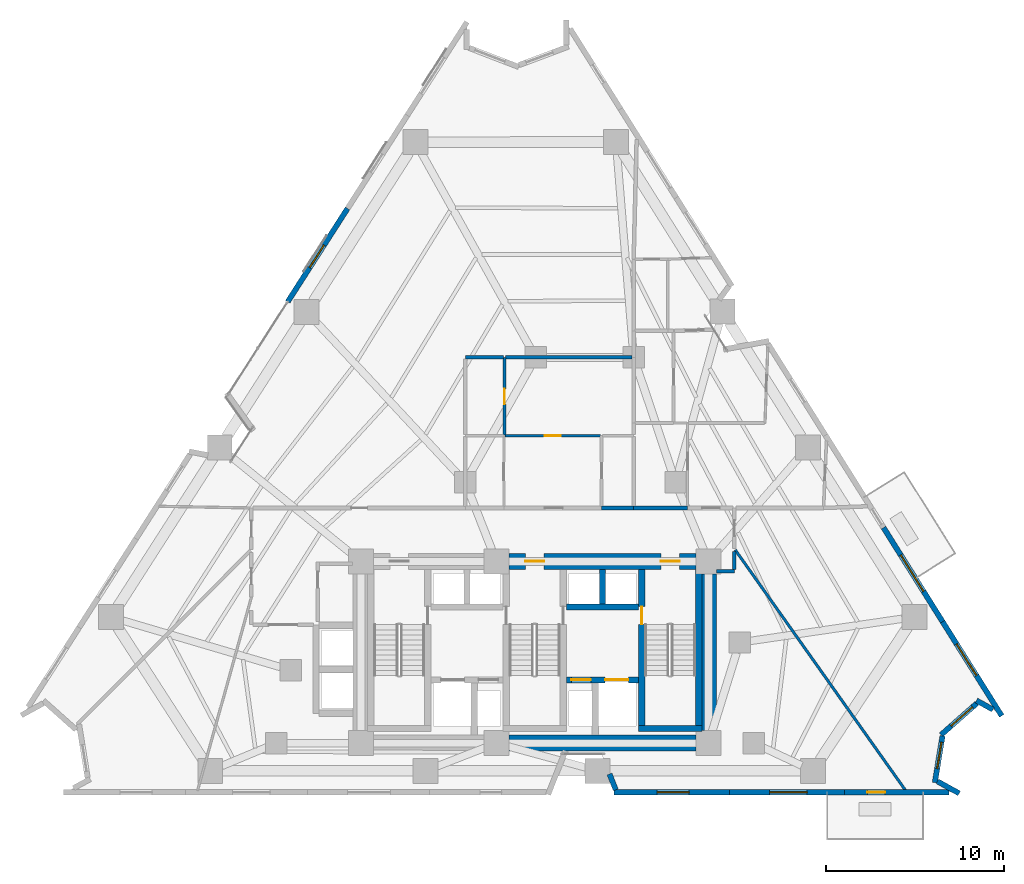
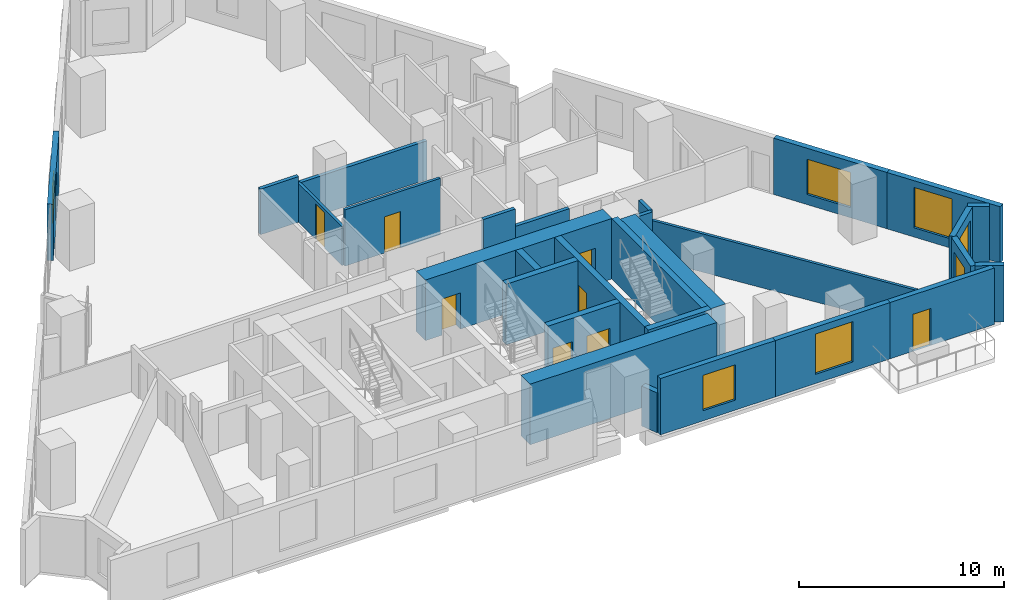
# One storey, part 8 of 13: 29 walls, 8 doors, 7 windows, 15 openings.
"""IFC4 building model written with IfcOpenShell, lengths in metres."""

from ifc_helpers import new_model, si_unit, direction, frame, frame_2d, origin, place, context, subcontext, project, spatial, rectangle, extrude, material, layer, layer_set, type_object, element, fill, save


model = new_model("IFC4")

# Units and contexts
model_context = context("Model", 3, precision=1e-05, world=origin(), true_north=direction((0.0, 1.0)))
body_context = subcontext(model_context, "Body", "Model", "MODEL_VIEW")
ifc_project = project(units=[si_unit("LENGTHUNIT", "METRE"), si_unit("AREAUNIT", "SQUARE_METRE"), si_unit("VOLUMEUNIT", "CUBIC_METRE"), si_unit("PLANEANGLEUNIT", "RADIAN"), si_unit("MASSUNIT", "GRAM", prefix="KILO")], contexts=[model_context])

# Site, building, storey
site_placement = place(None, origin())
site = spatial("IfcSite", under=ifc_project, at=site_placement, CompositionType="ELEMENT")
building_placement = place(site_placement, origin())
building = spatial("IfcBuilding", under=site, at=building_placement, Name="Almagre Mirador Tower", CompositionType="ELEMENT")
storey_placement = place(building_placement, frame((0.0, 0.0, 57.0)))
storey = spatial("IfcBuildingStorey", under=building, at=storey_placement, Name="L13", CompositionType="ELEMENT", Elevation=57.0)

# Wall, opening, window
ifc_material_1 = material(Name="Precast concrete C50/60", Category="concrete")
ifc_layer_1 = layer(ifc_material_1, 0.300048828125)
ifc_layer_set_1 = layer_set([ifc_layer_1], Name="Precast concrete C50/60")
wall_type_1 = type_object("IfcWallType", Name="WAL-EXT-300", PredefinedType="SOLIDWALL", material=ifc_layer_set_1)
wall_1_placement = place(storey_placement, frame((23.436767578125, 29.324462890625, 0.0), z_axis=(0.0, 0.0, 1.0), x_axis=(0.539514033019, 0.841976607855, 0.0)))
wall_1 = element("IfcWall", 1, at=wall_1_placement, inside=storey, type_object=wall_type_1, Name="L13 expressed almagre precast frame wall 03", PredefinedType="SOLIDWALL", context=body_context, shape_type="SweptSolid", body=[
    extrude(rectangle(XDim=6.21435546875, YDim=0.300048828125, at=frame_2d((3.107177734375, 0.0))), origin(), (0.0, 0.0, 1.0), 3.35009765625),
])
opening_1_placement = place(wall_1_placement, frame((2.27490234375, 0.0, 0.60009765625)))
opening_1 = element("IfcOpeningElement", 2, at=opening_1_placement, cuts=wall_1, Name="Opening WN-03", PredefinedType="OPENING", context=body_context, shape_type="SweptSolid", body=[
    extrude(rectangle(XDim=1.5, YDim=2.10009765625, at=frame_2d((0.75, 1.050048828125))), frame((0.0, 0.159902, 0.0), z_axis=(0.0, -1.0, 0.0), x_axis=(1.0, 0.0, 0.0)), (0.0, 0.0, 1.0), 0.320049),
])
ifc_material_2 = material(Name="Dark solar-control laminated hurricane glass", Category="glass")
window_type_1 = type_object("IfcWindowType", Name="WIN-1500X2100", PartitioningType="DOUBLE_PANEL_VERTICAL", PredefinedType="WINDOW", material=ifc_material_2)
window_1_placement = place(opening_1_placement, origin())
window_1 = element("IfcWindow", 3, at=window_1_placement, inside=storey, type_object=window_type_1, Name="L13 recessed hurricane window L13-RST-H", OverallHeight=2.10009765625, OverallWidth=1.5, PartitioningType="SINGLE_PANEL", PredefinedType="WINDOW", context=body_context, shape_type="SweptSolid", body=[
    extrude(rectangle(XDim=1.5, YDim=2.10009765625, at=frame_2d((0.75, 1.050048828125))), frame((0.0, 0.030029296875, 0.0), z_axis=(0.0, -1.0, 0.0), x_axis=(1.0, 0.0, 0.0)), (0.0, 0.0, 1.0), 0.06005859375),
])
fill(opening_1, window_1)

wall_2_placement = place(storey_placement, frame((56.87255859375, 16.64892578125, 0.0), z_axis=(0.0, 0.0, 1.0), x_axis=(0.531897384848, -0.846808816671, 0.0)))
wall_2 = element("IfcWall", 4, at=wall_2_placement, inside=storey, type_object=wall_type_1, Name="L13 expressed almagre precast frame wall 17", PredefinedType="SOLIDWALL", context=body_context, shape_type="SweptSolid", body=[
    extrude(rectangle(XDim=6.23779296875, YDim=0.300048828125, at=frame_2d((3.118896484375, 0.0))), origin(), (0.0, 0.0, 1.0), 3.35009765625),
])
opening_2_placement = place(wall_2_placement, frame((1.824951171875, 0.0, 0.60009765625)))
opening_2 = element("IfcOpeningElement", 5, at=opening_2_placement, cuts=wall_2, Name="Opening WN-02", PredefinedType="OPENING", context=body_context, shape_type="SweptSolid", body=[
    extrude(rectangle(XDim=2.39990234375, YDim=2.10009765625, at=frame_2d((1.199951171875, 1.050048828125))), frame((0.0, 0.159902, 0.0), z_axis=(0.0, -1.0, 0.0), x_axis=(1.0, 0.0, 0.0)), (0.0, 0.0, 1.0), 0.320049),
])
ifc_material_3 = material(Name="Dark solar-control laminated hurricane glass", Category="glass")
window_type_2 = type_object("IfcWindowType", Name="WIN-2400X2100", PartitioningType="TRIPLE_PANEL_VERTICAL", PredefinedType="WINDOW", material=ifc_material_3)
window_2_placement = place(opening_2_placement, origin())
window_2 = element("IfcWindow", 6, at=window_2_placement, inside=storey, type_object=window_type_2, Name="L13 recessed hurricane window L13-RST-E", OverallHeight=2.10009765625, OverallWidth=2.39990234375, PartitioningType="SINGLE_PANEL", PredefinedType="WINDOW", context=body_context, shape_type="SweptSolid", body=[
    extrude(rectangle(XDim=2.39990234375, YDim=2.10009765625, at=frame_2d((1.199951171875, 1.050048828125))), frame((0.0, 0.030029296875, 0.0), z_axis=(0.0, -1.0, 0.0), x_axis=(1.0, 0.0, 0.0)), (0.0, 0.0, 1.0), 0.06005859375),
])
fill(opening_2, window_2)

wall_3_placement = place(storey_placement, frame((60.1904296875, 11.36669921875, 0.0), z_axis=(0.0, 0.0, 1.0), x_axis=(0.531925449882, -0.846791187819, 0.0)))
wall_3 = element("IfcWall", 7, at=wall_3_placement, inside=storey, type_object=wall_type_1, Name="L13 expressed almagre precast frame wall 18", PredefinedType="SOLIDWALL", context=body_context, shape_type="SweptSolid", body=[
    extrude(rectangle(XDim=6.238037109375, YDim=0.300048828125, at=frame_2d((3.119140625, 0.0))), origin(), (0.0, 0.0, 1.0), 3.35009765625),
])
opening_3_placement = place(wall_3_placement, frame((1.47509765625, 0.0, 0.550048828125)))
opening_3 = element("IfcOpeningElement", 8, at=opening_3_placement, cuts=wall_3, Name="Opening WN-05", PredefinedType="OPENING", context=body_context, shape_type="SweptSolid", body=[
    extrude(rectangle(XDim=2.10009765625, YDim=2.39990234375, at=frame_2d((1.050048828125, 1.199951171875))), frame((0.0, 0.159902, 0.0), z_axis=(0.0, -1.0, 0.0), x_axis=(1.0, 0.0, 0.0)), (0.0, 0.0, 1.0), 0.320049),
])
ifc_material_4 = material(Name="Dark solar-control laminated hurricane glass", Category="glass")
window_type_3 = type_object("IfcWindowType", Name="WIN-2100X2400", PartitioningType="DOUBLE_PANEL_VERTICAL", PredefinedType="WINDOW", material=ifc_material_4)
window_3_placement = place(opening_3_placement, origin())
window_3 = element("IfcWindow", 9, at=window_3_placement, inside=storey, type_object=window_type_3, Name="L13 recessed hurricane window L13-RST-E", OverallHeight=2.39990234375, OverallWidth=2.10009765625, PartitioningType="SINGLE_PANEL", PredefinedType="WINDOW", context=body_context, shape_type="SweptSolid", body=[
    extrude(rectangle(XDim=2.10009765625, YDim=2.39990234375, at=frame_2d((1.050048828125, 1.199951171875))), frame((0.0, 0.030029296875, 0.0), z_axis=(0.0, -1.0, 0.0), x_axis=(1.0, 0.0, 0.0)), (0.0, 0.0, 1.0), 0.06005859375),
])
fill(opening_3, window_3)

# Wall
wall_4_placement = place(storey_placement, frame((63.013916015625, 6.435302734375, 0.0), z_axis=(0.0, 0.0, 1.0), x_axis=(-0.875148714457, 0.483854035412, 0.0)))
element("IfcWall", 10, at=wall_4_placement, inside=storey, type_object=wall_type_1, Name="L13 expressed almagre precast frame wall 19", PredefinedType="SOLIDWALL", context=body_context, shape_type="SweptSolid", body=[
    extrude(rectangle(XDim=1.05517578125, YDim=0.300048828125, at=frame_2d((0.527587890625, 0.0))), origin(), (0.0, 0.0, 1.0), 3.35009765625),
])

# Wall, opening, window
wall_5_placement = place(storey_placement, frame((62.11181640625, 6.788818359375, 0.0), z_axis=(0.0, 0.0, 1.0), x_axis=(-0.749880449764, -0.661573360303, 0.0)))
wall_5 = element("IfcWall", 11, at=wall_5_placement, inside=storey, type_object=wall_type_1, Name="L13 expressed almagre precast frame wall 20", PredefinedType="SOLIDWALL", context=body_context, shape_type="SweptSolid", body=[
    extrude(rectangle(XDim=2.67626953125, YDim=0.300048828125, at=frame_2d((1.338134765625, 0.0))), origin(), (0.0, 0.0, 1.0), 3.35009765625),
])
opening_4_placement = place(wall_5_placement, frame((0.324951171875, 0.0, 0.550048828125)))
opening_4 = element("IfcOpeningElement", 12, at=opening_4_placement, cuts=wall_5, Name="Opening WN-06", PredefinedType="OPENING", context=body_context, shape_type="SweptSolid", body=[
    extrude(rectangle(XDim=1.60009765625, YDim=2.199951171875, at=frame_2d((0.800048828125, 1.10009765625))), frame((0.0, 0.159902, 0.0), z_axis=(0.0, -1.0, 0.0), x_axis=(1.0, 0.0, 0.0)), (0.0, 0.0, 1.0), 0.320049),
])
ifc_material_5 = material(Name="Dark solar-control laminated hurricane glass", Category="glass")
window_type_4 = type_object("IfcWindowType", Name="WIN-1600X2200", PartitioningType="DOUBLE_PANEL_VERTICAL", PredefinedType="WINDOW", material=ifc_material_5)
window_4_placement = place(opening_4_placement, origin())
window_4 = element("IfcWindow", 13, at=window_4_placement, inside=storey, type_object=window_type_4, Name="L13 recessed hurricane window L13-RST-E", OverallHeight=2.199951171875, OverallWidth=1.60009765625, PartitioningType="SINGLE_PANEL", PredefinedType="WINDOW", context=body_context, shape_type="SweptSolid", body=[
    extrude(rectangle(XDim=1.60009765625, YDim=2.199951171875, at=frame_2d((0.800048828125, 1.10009765625))), frame((0.0, 0.030029296875, 0.0), z_axis=(0.0, -1.0, 0.0), x_axis=(1.0, 0.0, 0.0)), (0.0, 0.0, 1.0), 0.06005859375),
])
fill(opening_4, window_4)

wall_6_placement = place(storey_placement, frame((60.18505859375, 4.9580078125, 0.0), z_axis=(0.0, 0.0, 1.0), x_axis=(-0.16141694699, -0.986886300049, 0.0)))
wall_6 = element("IfcWall", 14, at=wall_6_placement, inside=storey, type_object=wall_type_1, Name="L13 expressed almagre precast frame wall 21", PredefinedType="SOLIDWALL", context=body_context, shape_type="SweptSolid", body=[
    extrude(rectangle(XDim=2.656005859375, YDim=0.300048828125, at=frame_2d((1.328125, 0.0))), origin(), (0.0, 0.0, 1.0), 3.35009765625),
])
opening_5_placement = place(wall_6_placement, frame((0.35498046875, 0.0, 0.60009765625)))
opening_5 = element("IfcOpeningElement", 15, at=opening_5_placement, cuts=wall_6, Name="Opening WN-03", PredefinedType="OPENING", context=body_context, shape_type="SweptSolid", body=[
    extrude(rectangle(XDim=1.5, YDim=2.10009765625, at=frame_2d((0.75, 1.050048828125))), frame((0.0, 0.159902, 0.0), z_axis=(0.0, -1.0, 0.0), x_axis=(1.0, 0.0, 0.0)), (0.0, 0.0, 1.0), 0.320049),
])
window_5_placement = place(opening_5_placement, origin())
window_5 = element("IfcWindow", 16, at=window_5_placement, inside=storey, type_object=window_type_1, Name="L13 recessed hurricane window L13-RST-E", OverallHeight=2.10009765625, OverallWidth=1.5, PartitioningType="SINGLE_PANEL", PredefinedType="WINDOW", context=body_context, shape_type="SweptSolid", body=[
    extrude(rectangle(XDim=1.5, YDim=2.10009765625, at=frame_2d((0.75, 1.050048828125))), frame((0.0, 0.030029296875, 0.0), z_axis=(0.0, -1.0, 0.0), x_axis=(1.0, 0.0, 0.0)), (0.0, 0.0, 1.0), 0.06005859375),
])
fill(opening_5, window_5)

# Wall
wall_7_placement = place(storey_placement, frame((59.897216796875, 2.40966796875, 0.0), z_axis=(0.0, 0.0, 1.0), x_axis=(0.875216279123, -0.483731810777, 0.0)))
element("IfcWall", 17, at=wall_7_placement, inside=storey, type_object=wall_type_1, Name="L13 expressed almagre precast frame wall 22", PredefinedType="SOLIDWALL", context=body_context, shape_type="SweptSolid", body=[
    extrude(rectangle(XDim=1.400146484375, YDim=0.300048828125, at=frame_2d((0.7001953125, 0.0))), origin(), (0.0, 0.0, 1.0), 3.35009765625),
])

# Wall, opening, door
wall_8_placement = place(storey_placement, frame((60.534912109375, 1.800048828125, 0.0), z_axis=(0.0, 0.0, 1.0), x_axis=(-1.0, 0.0, 0.0)))
wall_8 = element("IfcWall", 18, at=wall_8_placement, inside=storey, type_object=wall_type_1, Name="L13 expressed almagre precast frame wall 23", PredefinedType="SOLIDWALL", context=body_context, shape_type="SweptSolid", body=[
    extrude(rectangle(XDim=5.85498046875, YDim=0.300048828125, at=frame_2d((2.927490234375, 0.0))), origin(), (0.0, 0.0, 1.0), 3.35009765625),
])
opening_6_placement = place(wall_8_placement, frame((3.5703125, 0.0, 0.0)))
opening_6 = element("IfcOpeningElement", 19, at=opening_6_placement, cuts=wall_8, Name="Opening BD-01", PredefinedType="OPENING", context=body_context, shape_type="SweptSolid", body=[
    extrude(rectangle(XDim=1.0, YDim=2.199951171875, at=frame_2d((0.5, 1.10009765625))), frame((0.0, 0.159902, 0.0), z_axis=(0.0, -1.0, 0.0), x_axis=(1.0, 0.0, 0.0)), (0.0, 0.0, 1.0), 0.320049),
])
ifc_material_6 = material(Name="Black anodized aluminium and laminated glass", Category="aluminium")
door_type_1 = type_object("IfcDoorType", Name="DOR-BAL-1000X2200", OperationType="NOTDEFINED", PredefinedType="DOOR", material=ifc_material_6)
door_1_placement = place(opening_6_placement, origin())
door_1 = element("IfcDoor", 20, at=door_1_placement, inside=storey, type_object=door_type_1, Name="DR-0420 L13 south balcony glazed door 1", OperationType="SINGLE_SWING_LEFT", OverallHeight=2.199951171875, OverallWidth=1.0, PredefinedType="DOOR", context=body_context, shape_type="SweptSolid", body=[
    extrude(rectangle(XDim=1.0, YDim=2.199951171875, at=frame_2d((0.5, 1.10009765625))), frame((0.0, 0.02490234375, 0.0), z_axis=(0.0, -1.0, 0.0), x_axis=(1.0, 0.0, 0.0)), (0.0, 0.0, 1.0), 0.050048828125),
])
fill(opening_6, door_1)

# Wall, opening, window
wall_9_placement = place(storey_placement, frame((54.679931640625, 1.800048828125, 0.0), z_axis=(0.0, 0.0, 1.0), x_axis=(-1.0, 0.0, 0.0)))
wall_9 = element("IfcWall", 21, at=wall_9_placement, inside=storey, type_object=wall_type_1, Name="L13 expressed almagre precast frame wall 24", PredefinedType="SOLIDWALL", context=body_context, shape_type="SweptSolid", body=[
    extrude(rectangle(XDim=6.4599609375, YDim=0.300048828125, at=frame_2d((3.22998046875, 0.0))), origin(), (0.0, 0.0, 1.0), 3.35009765625),
])
opening_7_placement = place(wall_9_placement, frame((2.10009765625, 0.0, 0.550048828125)))
opening_7 = element("IfcOpeningElement", 22, at=opening_7_placement, cuts=wall_9, Name="Opening WN-05", PredefinedType="OPENING", context=body_context, shape_type="SweptSolid", body=[
    extrude(rectangle(XDim=2.10009765625, YDim=2.39990234375, at=frame_2d((1.050048828125, 1.199951171875))), frame((0.0, 0.159902, 0.0), z_axis=(0.0, -1.0, 0.0), x_axis=(1.0, 0.0, 0.0)), (0.0, 0.0, 1.0), 0.320049),
])
window_6_placement = place(opening_7_placement, origin())
window_6 = element("IfcWindow", 23, at=window_6_placement, inside=storey, type_object=window_type_3, Name="L13 recessed hurricane window L13-RST-C", OverallHeight=2.39990234375, OverallWidth=2.10009765625, PartitioningType="SINGLE_PANEL", PredefinedType="WINDOW", context=body_context, shape_type="SweptSolid", body=[
    extrude(rectangle(XDim=2.10009765625, YDim=2.39990234375, at=frame_2d((1.050048828125, 1.199951171875))), frame((0.0, 0.030029296875, 0.0), z_axis=(0.0, -1.0, 0.0), x_axis=(1.0, 0.0, 0.0)), (0.0, 0.0, 1.0), 0.06005859375),
])
fill(opening_7, window_6)

wall_10_placement = place(storey_placement, frame((48.219970703125, 1.800048828125, 0.0), z_axis=(0.0, 0.0, 1.0), x_axis=(-1.0, 0.0, 0.0)))
wall_10 = element("IfcWall", 24, at=wall_10_placement, inside=storey, type_object=wall_type_1, Name="L13 expressed almagre precast frame wall 25", PredefinedType="SOLIDWALL", context=body_context, shape_type="SweptSolid", body=[
    extrude(rectangle(XDim=6.4599609375, YDim=0.300048828125, at=frame_2d((3.22998046875, 0.0))), origin(), (0.0, 0.0, 1.0), 3.35009765625),
])
opening_8_placement = place(wall_10_placement, frame((2.25, 0.0, 0.60009765625)))
opening_8 = element("IfcOpeningElement", 25, at=opening_8_placement, cuts=wall_10, Name="Opening WN-01", PredefinedType="OPENING", context=body_context, shape_type="SweptSolid", body=[
    extrude(rectangle(XDim=1.800048828125, YDim=2.10009765625, at=frame_2d((0.89990234375, 1.050048828125))), frame((0.0, 0.159902, 0.0), z_axis=(0.0, -1.0, 0.0), x_axis=(1.0, 0.0, 0.0)), (0.0, 0.0, 1.0), 0.320049),
])
ifc_material_7 = material(Name="Dark solar-control laminated hurricane glass", Category="glass")
window_type_5 = type_object("IfcWindowType", Name="WIN-1800X2100", PartitioningType="DOUBLE_PANEL_VERTICAL", PredefinedType="WINDOW", material=ifc_material_7)
window_7_placement = place(opening_8_placement, origin())
window_7 = element("IfcWindow", 26, at=window_7_placement, inside=storey, type_object=window_type_5, Name="L13 recessed hurricane window L13-RST-C", OverallHeight=2.10009765625, OverallWidth=1.800048828125, PartitioningType="SINGLE_PANEL", PredefinedType="WINDOW", context=body_context, shape_type="SweptSolid", body=[
    extrude(rectangle(XDim=1.800048828125, YDim=2.10009765625, at=frame_2d((0.89990234375, 1.050048828125))), frame((0.0, 0.030029296875, 0.0), z_axis=(0.0, -1.0, 0.0), x_axis=(1.0, 0.0, 0.0)), (0.0, 0.0, 1.0), 0.06005859375),
])
fill(opening_8, window_7)

# Walls
wall_11_placement = place(storey_placement, frame((41.84814453125, 1.93017578125, 0.0), z_axis=(0.0, 0.0, 1.0), x_axis=(-0.369589416429, 0.92919516963, 0.0)))
element("IfcWall", 27, at=wall_11_placement, inside=storey, type_object=wall_type_1, Name="L13 expressed almagre precast frame wall 26", PredefinedType="SOLIDWALL", context=body_context, shape_type="SweptSolid", body=[
    extrude(rectangle(XDim=0.95849609375, YDim=0.300048828125, at=frame_2d((0.479248046875, 0.0))), origin(), (0.0, 0.0, 1.0), 2.375),
])
ifc_material_8 = material(Name="Gypsum acoustic stud partition", Category="other")
ifc_layer_2 = layer(ifc_material_8, 0.14990234375)
ifc_layer_set_2 = layer_set([ifc_layer_2], Name="Gypsum acoustic stud partition")
wall_type_2 = type_object("IfcWallType", Name="WAL-PRT-150-STD", PredefinedType="PARTITIONING", material=ifc_layer_set_2)
wall_12_placement = place(storey_placement, frame((58.096923828125, 1.91796875, 0.0), z_axis=(0.0, 0.0, 1.0), x_axis=(-0.577911961482, 0.816099114554, 0.0)))
element("IfcWall", 28, at=wall_12_placement, inside=storey, type_object=wall_type_2, Name="L13 interior partition 016", PredefinedType="PARTITIONING", context=body_context, shape_type="SweptSolid", body=[
    extrude(rectangle(XDim=16.520751953125, YDim=0.14990234375, at=frame_2d((8.26025390625, 0.0))), origin(), (0.0, 0.0, 1.0), 2.279052734375),
])

# Wall, opening, door
wall_13_placement = place(storey_placement, frame((40.989990234375, 21.81005859375, 0.0), z_axis=(0.0, 0.0, 1.0), x_axis=(-1.0, 0.0, 0.0)))
wall_13 = element("IfcWall", 29, at=wall_13_placement, inside=storey, type_object=wall_type_2, Name="L13 interior partition 022", PredefinedType="PARTITIONING", context=body_context, shape_type="SweptSolid", body=[
    extrude(rectangle(XDim=5.37255859375, YDim=0.14990234375, at=frame_2d((2.686279296875, 0.0))), origin(), (0.0, 0.0, 1.0), 3.35009765625),
])
opening_9_placement = place(wall_13_placement, frame((2.22998046875, 0.0, 0.0)))
opening_9 = element("IfcOpeningElement", 30, at=opening_9_placement, cuts=wall_13, Name="Opening UD-02", PredefinedType="OPENING", context=body_context, shape_type="SweptSolid", body=[
    extrude(rectangle(XDim=0.89990234375, YDim=2.14990234375, at=frame_2d((0.449951171875, 1.074951171875))), frame((0.0, 0.084951, 0.0), z_axis=(0.0, -1.0, 0.0), x_axis=(1.0, 0.0, 0.0)), (0.0, 0.0, 1.0), 0.169902),
])
ifc_material_9 = material(Name="Solid American walnut timber", Category="wood")
door_type_2 = type_object("IfcDoorType", Name="DOR-UNR-900X2150", OperationType="NOTDEFINED", PredefinedType="DOOR", material=ifc_material_9)
door_2_placement = place(opening_9_placement, origin())
door_2 = element("IfcDoor", 31, at=door_2_placement, inside=storey, type_object=door_type_2, Name="DR-0435 L13 interior door L13-UF-LV to L13-UF-MB", OperationType="SINGLE_SWING_LEFT", OverallHeight=2.14990234375, OverallWidth=0.89990234375, PredefinedType="DOOR", context=body_context, shape_type="SweptSolid", body=[
    extrude(rectangle(XDim=0.89990234375, YDim=2.14990234375, at=frame_2d((0.449951171875, 1.074951171875))), frame((0.0, 0.02490234375, 0.0), z_axis=(0.0, -1.0, 0.0), x_axis=(1.0, 0.0, 0.0)), (0.0, 0.0, 1.0), 0.050048828125),
])
fill(opening_9, door_2)

wall_14_placement = place(storey_placement, frame((35.60009765625, 21.8525390625, 0.0), z_axis=(0.0, 0.0, 1.0), x_axis=(0.0, 1.0, 0.0)))
wall_14 = element("IfcWall", 32, at=wall_14_placement, inside=storey, type_object=wall_type_2, Name="L13 interior partition 027", PredefinedType="PARTITIONING", context=body_context, shape_type="SweptSolid", body=[
    extrude(rectangle(XDim=4.347412109375, YDim=0.14990234375, at=frame_2d((2.173828125, 0.0))), origin(), (0.0, 0.0, 1.0), 2.30908203125),
])
opening_10_placement = place(wall_14_placement, frame((1.7275390625, 0.0, 0.0)))
opening_10 = element("IfcOpeningElement", 33, at=opening_10_placement, cuts=wall_14, Name="Opening UD-04", PredefinedType="OPENING", context=body_context, shape_type="SweptSolid", body=[
    extrude(rectangle(XDim=0.85009765625, YDim=2.10009765625, at=frame_2d((0.425048828125, 1.050048828125))), frame((0.0, 0.084951, 0.0), z_axis=(0.0, -1.0, 0.0), x_axis=(1.0, 0.0, 0.0)), (0.0, 0.0, 1.0), 0.169902),
])
ifc_material_10 = material(Name="Moisture-resistant oak timber", Category="wood")
door_type_3 = type_object("IfcDoorType", Name="DOR-UNR-850X2100", OperationType="NOTDEFINED", PredefinedType="DOOR", material=ifc_material_10)
door_3_placement = place(opening_10_placement, origin())
door_3 = element("IfcDoor", 34, at=door_3_placement, inside=storey, type_object=door_type_3, Name="DR-0436 L13 interior door L13-UF-MB to L13-UF-EN", OperationType="SINGLE_SWING_RIGHT", OverallHeight=2.10009765625, OverallWidth=0.85009765625, PredefinedType="DOOR", context=body_context, shape_type="SweptSolid", body=[
    extrude(rectangle(XDim=0.85009765625, YDim=2.10009765625, at=frame_2d((0.425048828125, 1.050048828125))), frame((0.0, 0.02490234375, 0.0), z_axis=(0.0, -1.0, 0.0), x_axis=(1.0, 0.0, 0.0)), (0.0, 0.0, 1.0), 0.050048828125),
])
fill(opening_10, door_3)

# Walls
ifc_material_11 = material(Name="Gypsum acoustic stud partition", Category="other")
ifc_layer_3 = layer(ifc_material_11, 0.199951171875)
ifc_layer_set_3 = layer_set([ifc_layer_3], Name="Gypsum acoustic stud partition")
wall_type_3 = type_object("IfcWallType", Name="WAL-PRT-200-EI60", PredefinedType="PARTITIONING", material=ifc_layer_set_3)
wall_15_placement = place(storey_placement, frame((47.5, 14.199951171875, 0.0), z_axis=(0.0, 0.0, 1.0), x_axis=(1.0, 0.0, 0.0)))
element("IfcWall", 35, at=wall_15_placement, inside=storey, type_object=wall_type_3, Name="L13 interior partition 004", PredefinedType="PARTITIONING", context=body_context, shape_type="SweptSolid", body=[
    extrude(rectangle(XDim=1.0, YDim=0.199951171875, at=frame_2d((0.5, 0.0))), origin(), (0.0, 0.0, 1.0), 3.35009765625),
])
wall_16_placement = place(storey_placement, frame((48.5, 14.284912109375, 0.0), z_axis=(0.0, 0.0, 1.0), x_axis=(0.0, 1.0, 0.0)))
element("IfcWall", 36, at=wall_16_placement, inside=storey, type_object=wall_type_3, Name="L13 interior partition 005", PredefinedType="PARTITIONING", context=body_context, shape_type="SweptSolid", body=[
    extrude(rectangle(XDim=1.010009765625, YDim=0.199951171875, at=frame_2d((0.5048828125, 0.0))), origin(), (0.0, 0.0, 1.0), 3.35009765625),
])
wall_17_placement = place(storey_placement, frame((42.85009765625, 17.75, 0.0), z_axis=(0.0, 0.0, 1.0), x_axis=(-1.0, 0.0, 0.0)))
element("IfcWall", 37, at=wall_17_placement, inside=storey, type_object=wall_type_3, Name="L13 interior partition 009", PredefinedType="PARTITIONING", context=body_context, shape_type="SweptSolid", body=[
    extrude(rectangle(XDim=1.800048828125, YDim=0.199951171875, at=frame_2d((0.89990234375, 0.0))), origin(), (0.0, 0.0, 1.0), 3.35009765625),
])
wall_18_placement = place(storey_placement, frame((45.8798828125, 17.75, 0.0), z_axis=(0.0, 0.0, 1.0), x_axis=(-1.0, 0.0, 0.0)))
element("IfcWall", 38, at=wall_18_placement, inside=storey, type_object=wall_type_3, Name="L13 interior partition 012", PredefinedType="PARTITIONING", context=body_context, shape_type="SweptSolid", body=[
    extrude(rectangle(XDim=3.02978515625, YDim=0.199951171875, at=frame_2d((1.514892578125, 0.0))), origin(), (0.0, 0.0, 1.0), 2.30908203125),
])
wall_19_placement = place(storey_placement, frame((42.764892578125, 26.199951171875, 0.0), z_axis=(0.0, 0.0, 1.0), x_axis=(-1.0, 0.0, 0.0)))
element("IfcWall", 39, at=wall_19_placement, inside=storey, type_object=wall_type_3, Name="L13 interior partition 030", PredefinedType="PARTITIONING", context=body_context, shape_type="SweptSolid", body=[
    extrude(rectangle(XDim=7.10498046875, YDim=0.199951171875, at=frame_2d((3.552490234375, 0.0))), origin(), (0.0, 0.0, 1.0), 2.30908203125),
])
wall_20_placement = place(storey_placement, frame((35.5400390625, 26.199951171875, 0.0), z_axis=(0.0, 0.0, 1.0), x_axis=(-1.0, 0.0, 0.0)))
element("IfcWall", 40, at=wall_20_placement, inside=storey, type_object=wall_type_3, Name="L13 interior partition 031", PredefinedType="PARTITIONING", context=body_context, shape_type="SweptSolid", body=[
    extrude(rectangle(XDim=2.14013671875, YDim=0.199951171875, at=frame_2d((1.070068359375, 0.0))), origin(), (0.0, 0.0, 1.0), 2.708984375),
])

# Wall, opening, door
ifc_material_12 = material(Name="Concrete C60/75", Category="concrete")
ifc_layer_4 = layer(ifc_material_12, 0.35009765625)
ifc_layer_set_4 = layer_set([ifc_layer_4], Name="Concrete C60/75")
wall_type_4 = type_object("IfcWallType", Name="WAL-SHF-350", PredefinedType="SOLIDWALL", material=ifc_layer_set_4)
wall_21_placement = place(storey_placement, frame((43.300048828125, 5.199951171875, 0.0), z_axis=(0.0, 0.0, 1.0), x_axis=(0.0, 1.0, 0.0)))
wall_21 = element("IfcWall", 41, at=wall_21_placement, inside=storey, type_object=wall_type_4, Name="L13 shaft wall ST3-W", PredefinedType="SOLIDWALL", context=body_context, shape_type="SweptSolid", body=[
    extrude(rectangle(XDim=9.10009765625, YDim=0.35009765625, at=frame_2d((4.550048828125, 0.0))), origin(), (0.0, 0.0, 1.0), 3.60009765625),
])
opening_11_placement = place(wall_21_placement, frame((6.02001953125, 0.0, 0.0)))
opening_11 = element("IfcOpeningElement", 42, at=opening_11_placement, cuts=wall_21, Name="Opening FD-01", PredefinedType="OPENING", context=body_context, shape_type="SweptSolid", body=[
    extrude(rectangle(XDim=1.0, YDim=2.14990234375, at=frame_2d((0.5, 1.074951171875))), frame((0.0, 0.185049, 0.0), z_axis=(0.0, -1.0, 0.0), x_axis=(1.0, 0.0, 0.0)), (0.0, 0.0, 1.0), 0.370098),
])
ifc_material_13 = material(Name="Fire-rated hollow steel", Category="steel")
door_type_4 = type_object("IfcDoorType", Name="DOR-FFL-1000X2150", OperationType="NOTDEFINED", PredefinedType="DOOR", material=ifc_material_13)
door_4_placement = place(opening_11_placement, origin())
door_4 = element("IfcDoor", 43, at=door_4_placement, inside=storey, type_object=door_type_4, Name="DR-0426 L13 FFL2-ST3 smokeproof door", OperationType="SINGLE_SWING_RIGHT", OverallHeight=2.14990234375, OverallWidth=1.0, PredefinedType="DOOR", context=body_context, shape_type="SweptSolid", body=[
    extrude(rectangle(XDim=1.0, YDim=2.14990234375, at=frame_2d((0.5, 1.074951171875))), frame((0.0, 0.02490234375, 0.0), z_axis=(0.0, -1.0, 0.0), x_axis=(1.0, 0.0, 0.0)), (0.0, 0.0, 1.0), 0.050048828125),
])
fill(opening_11, door_4)

# Walls
wall_22_placement = place(storey_placement, frame((46.5, 5.199951171875, 0.0), z_axis=(0.0, 0.0, 1.0), x_axis=(0.0, 1.0, 0.0)))
element("IfcWall", 44, at=wall_22_placement, inside=storey, type_object=wall_type_4, Name="L13 shaft wall ST3-E", PredefinedType="SOLIDWALL", context=body_context, shape_type="SweptSolid", body=[
    extrude(rectangle(XDim=9.10009765625, YDim=0.35009765625, at=frame_2d((4.550048828125, 0.0))), origin(), (0.0, 0.0, 1.0), 3.60009765625),
])
wall_23_placement = place(storey_placement, frame((43.125, 5.375, 0.0), z_axis=(0.0, 0.0, 1.0), x_axis=(1.0, 0.0, 0.0)))
element("IfcWall", 45, at=wall_23_placement, inside=storey, type_object=wall_type_4, Name="L13 shaft wall ST3-S", PredefinedType="SOLIDWALL", context=body_context, shape_type="SweptSolid", body=[
    extrude(rectangle(XDim=3.550048828125, YDim=0.35009765625, at=frame_2d((1.77490234375, 0.0))), origin(), (0.0, 0.0, 1.0), 3.60009765625),
])

# Wall, openings, doors
wall_24_placement = place(storey_placement, frame((39.074951171875, 8.10009765625, 0.0), z_axis=(0.0, 0.0, 1.0), x_axis=(1.0, 0.0, 0.0)))
wall_24 = element("IfcWall", 46, at=wall_24_placement, inside=storey, type_object=wall_type_4, Name="L13 shaft wall FSAE2-N", PredefinedType="SOLIDWALL", context=body_context, shape_type="SweptSolid", body=[
    extrude(rectangle(XDim=4.050048828125, YDim=0.35009765625, at=frame_2d((2.02490234375, 0.0))), origin(), (0.0, 0.0, 1.0), 3.60009765625),
])
opening_12_placement = place(wall_24_placement, frame((2.175048828125, 0.0, 0.0)))
opening_12 = element("IfcOpeningElement", 47, at=opening_12_placement, cuts=wall_24, Name="Opening LD-03", PredefinedType="OPENING", context=body_context, shape_type="SweptSolid", body=[
    extrude(rectangle(XDim=1.300048828125, YDim=2.25, at=frame_2d((0.64990234375, 1.125))), frame((0.0, 0.185049, 0.0), z_axis=(0.0, -1.0, 0.0), x_axis=(1.0, 0.0, 0.0)), (0.0, 0.0, 1.0), 0.370098),
])
opening_13_placement = place(wall_24_placement, frame((0.27490234375, 0.0, 0.0)))
opening_13 = element("IfcOpeningElement", 48, at=opening_13_placement, cuts=wall_24, Name="Opening LD-01", PredefinedType="OPENING", context=body_context, shape_type="SweptSolid", body=[
    extrude(rectangle(XDim=1.10009765625, YDim=2.199951171875, at=frame_2d((0.550048828125, 1.10009765625))), frame((0.0, 0.185049, 0.0), z_axis=(0.0, -1.0, 0.0), x_axis=(1.0, 0.0, 0.0)), (0.0, 0.0, 1.0), 0.370098),
])
ifc_material_14 = material(Name="Hollow stainless steel", Category="steel")
door_type_5 = type_object("IfcDoorType", Name="DOR-LD-1100X2200", OperationType="DOUBLE_DOOR_SLIDING", PredefinedType="DOOR", material=ifc_material_14)
door_5_placement = place(opening_13_placement, origin())
door_5 = element("IfcDoor", 49, at=door_5_placement, inside=storey, type_object=door_type_5, Name="DR-0448 L13 PL-L2 lift landing door", OperationType="DOUBLE_DOOR_SLIDING", OverallHeight=2.199951171875, OverallWidth=1.10009765625, PredefinedType="DOOR", context=body_context, shape_type="SweptSolid", body=[
    extrude(rectangle(XDim=1.10009765625, YDim=2.199951171875, at=frame_2d((0.550048828125, 1.10009765625))), frame((0.0, 0.02490234375, 0.0), z_axis=(0.0, -1.0, 0.0), x_axis=(1.0, 0.0, 0.0)), (0.0, 0.0, 1.0), 0.050048828125),
])
fill(opening_13, door_5)
ifc_material_15 = material(Name="Hollow stainless steel", Category="steel")
door_type_6 = type_object("IfcDoorType", Name="DOR-LD-1300X2250", OperationType="DOUBLE_DOOR_SLIDING", PredefinedType="DOOR", material=ifc_material_15)
door_6_placement = place(opening_12_placement, origin())
door_6 = element("IfcDoor", 50, at=door_6_placement, inside=storey, type_object=door_type_6, Name="DR-0446 L13 FSAE-2 lift landing door", OperationType="DOUBLE_DOOR_SLIDING", OverallHeight=2.25, OverallWidth=1.300048828125, PredefinedType="DOOR", context=body_context, shape_type="SweptSolid", body=[
    extrude(rectangle(XDim=1.300048828125, YDim=2.25, at=frame_2d((0.64990234375, 1.125))), frame((0.0, 0.02490234375, 0.0), z_axis=(0.0, -1.0, 0.0), x_axis=(1.0, 0.0, 0.0)), (0.0, 0.0, 1.0), 0.050048828125),
])
fill(opening_12, door_6)

# Walls
wall_25_placement = place(storey_placement, frame((39.074951171875, 12.199951171875, 0.0), z_axis=(0.0, 0.0, 1.0), x_axis=(1.0, 0.0, 0.0)))
element("IfcWall", 51, at=wall_25_placement, inside=storey, type_object=wall_type_4, Name="L13 shaft wall PLH-S", PredefinedType="SOLIDWALL", context=body_context, shape_type="SweptSolid", body=[
    extrude(rectangle(XDim=4.050048828125, YDim=0.35009765625, at=frame_2d((2.02490234375, 0.0))), origin(), (0.0, 0.0, 1.0), 3.60009765625),
])
wall_26_placement = place(storey_placement, frame((41.10009765625, 12.375, 0.0), z_axis=(0.0, 0.0, 1.0), x_axis=(0.0, 1.0, 0.0)))
element("IfcWall", 52, at=wall_26_placement, inside=storey, type_object=wall_type_4, Name="L13 shaft wall PLH-M", PredefinedType="SOLIDWALL", context=body_context, shape_type="SweptSolid", body=[
    extrude(rectangle(XDim=1.925048828125, YDim=0.35009765625, at=frame_2d((0.96240234375, 0.0))), origin(), (0.0, 0.0, 1.0), 3.60009765625),
])
ifc_material_16 = material(Name="Concrete C70/85", Category="concrete")
ifc_layer_5 = layer(ifc_material_16, 0.89990234375)
ifc_layer_set_5 = layer_set([ifc_layer_5], Name="Concrete C70/85")
wall_type_5 = type_object("IfcWallType", Name="WAL-SHR-900", PredefinedType="SHEAR", material=ifc_layer_set_5)
wall_27_placement = place(storey_placement, frame((35.85009765625, 4.550048828125, 0.0), z_axis=(0.0, 0.0, 1.0), x_axis=(1.0, 0.0, 0.0)))
element("IfcWall", 53, at=wall_27_placement, inside=storey, type_object=wall_type_5, Name="L13 core shear wall S2", PredefinedType="SHEAR", context=body_context, shape_type="SweptSolid", body=[
    extrude(rectangle(XDim=10.5, YDim=0.89990234375, at=frame_2d((5.25, 0.0))), origin(), (0.0, 0.0, 1.0), 3.60009765625),
])

# Wall, openings, doors
wall_28_placement = place(storey_placement, frame((35.85009765625, 14.75, 0.0), z_axis=(0.0, 0.0, 1.0), x_axis=(1.0, 0.0, 0.0)))
wall_28 = element("IfcWall", 54, at=wall_28_placement, inside=storey, type_object=wall_type_5, Name="L13 core shear wall N2", PredefinedType="SHEAR", context=body_context, shape_type="SweptSolid", body=[
    extrude(rectangle(XDim=10.5, YDim=0.89990234375, at=frame_2d((5.25, 0.0))), origin(), (0.0, 0.0, 1.0), 3.60009765625),
])
opening_14_placement = place(wall_28_placement, frame((0.925048828125, 0.0, 0.0)))
opening_14 = element("IfcOpeningElement", 55, at=opening_14_placement, cuts=wall_28, Name="Opening SD-01", PredefinedType="OPENING", context=body_context, shape_type="SweptSolid", body=[
    extrude(rectangle(XDim=1.050048828125, YDim=2.14990234375, at=frame_2d((0.52490234375, 1.074951171875))), frame((0.0, 0.459951, 0.0), z_axis=(0.0, -1.0, 0.0), x_axis=(1.0, 0.0, 0.0)), (0.0, 0.0, 1.0), 0.919902),
])
opening_15_placement = place(wall_28_placement, frame((8.52490234375, 0.0, 0.0)))
opening_15 = element("IfcOpeningElement", 56, at=opening_15_placement, cuts=wall_28, Name="Opening SD-01", PredefinedType="OPENING", context=body_context, shape_type="SweptSolid", body=[
    extrude(rectangle(XDim=1.050048828125, YDim=2.14990234375, at=frame_2d((0.52490234375, 1.074951171875))), frame((0.0, 0.459951, 0.0), z_axis=(0.0, -1.0, 0.0), x_axis=(1.0, 0.0, 0.0)), (0.0, 0.0, 1.0), 0.919902),
])
ifc_material_17 = material(Name="Fire-rated hollow steel", Category="steel")
door_type_7 = type_object("IfcDoorType", Name="DOR-ST-1050X2150", OperationType="NOTDEFINED", PredefinedType="DOOR", material=ifc_material_17)
door_7_placement = place(opening_14_placement, origin())
door_7 = element("IfcDoor", 57, at=door_7_placement, inside=storey, type_object=door_type_7, Name="DR-0450 L13 protected exit stair ST-2 door", OperationType="SINGLE_SWING_RIGHT", OverallHeight=2.14990234375, OverallWidth=1.050048828125, PredefinedType="DOOR", context=body_context, shape_type="SweptSolid", body=[
    extrude(rectangle(XDim=1.050048828125, YDim=2.14990234375, at=frame_2d((0.52490234375, 1.074951171875))), frame((0.0, 0.02490234375, 0.0), z_axis=(0.0, -1.0, 0.0), x_axis=(1.0, 0.0, 0.0)), (0.0, 0.0, 1.0), 0.050048828125),
])
fill(opening_14, door_7)
door_8_placement = place(opening_15_placement, origin())
door_8 = element("IfcDoor", 58, at=door_8_placement, inside=storey, type_object=door_type_7, Name="DR-0451 L13 protected exit stair ST-3 door", OperationType="SINGLE_SWING_LEFT", OverallHeight=2.14990234375, OverallWidth=1.050048828125, PredefinedType="DOOR", context=body_context, shape_type="SweptSolid", body=[
    extrude(rectangle(XDim=1.050048828125, YDim=2.14990234375, at=frame_2d((0.52490234375, 1.074951171875))), frame((0.0, 0.02490234375, 0.0), z_axis=(0.0, -1.0, 0.0), x_axis=(1.0, 0.0, 0.0)), (0.0, 0.0, 1.0), 0.050048828125),
])
fill(opening_15, door_8)

# Wall
wall_29_placement = place(storey_placement, frame((47.050048828125, 5.25, 0.0), z_axis=(0.0, 0.0, 1.0), x_axis=(0.0, 1.0, 0.0)))
element("IfcWall", 59, at=wall_29_placement, inside=storey, type_object=wall_type_5, Name="L13 core shear wall E1", PredefinedType="SHEAR", context=body_context, shape_type="SweptSolid", body=[
    extrude(rectangle(XDim=8.800048828125, YDim=0.89990234375, at=frame_2d((4.39990234375, 0.0))), origin(), (0.0, 0.0, 1.0), 3.60009765625),
])

save(model, "model.ifc")
